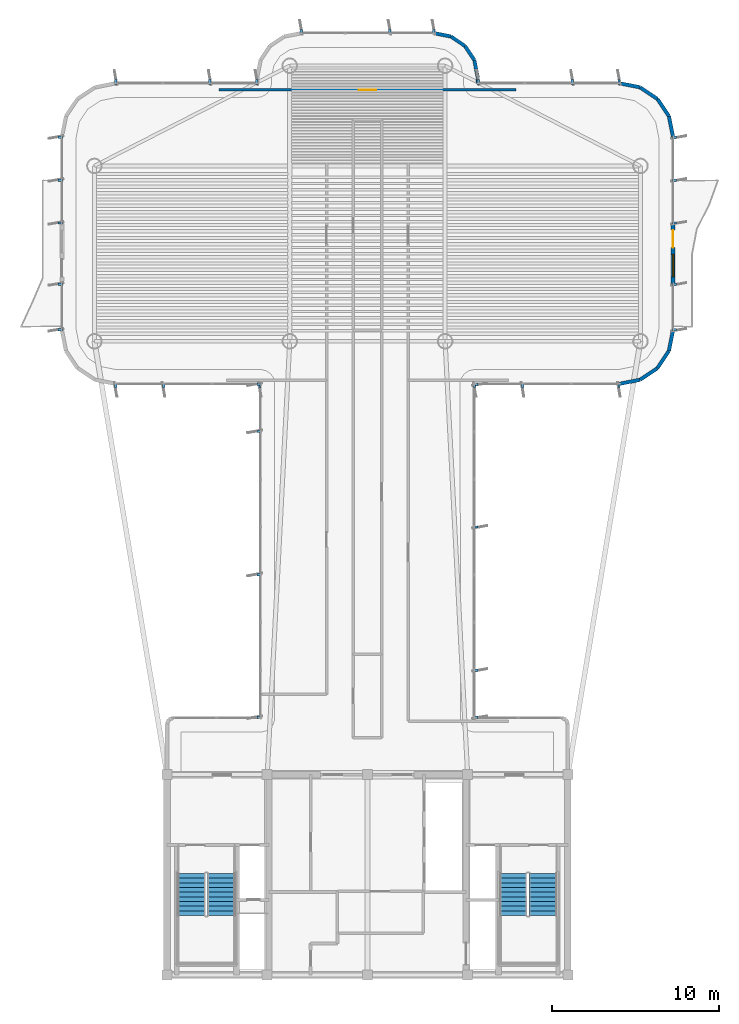
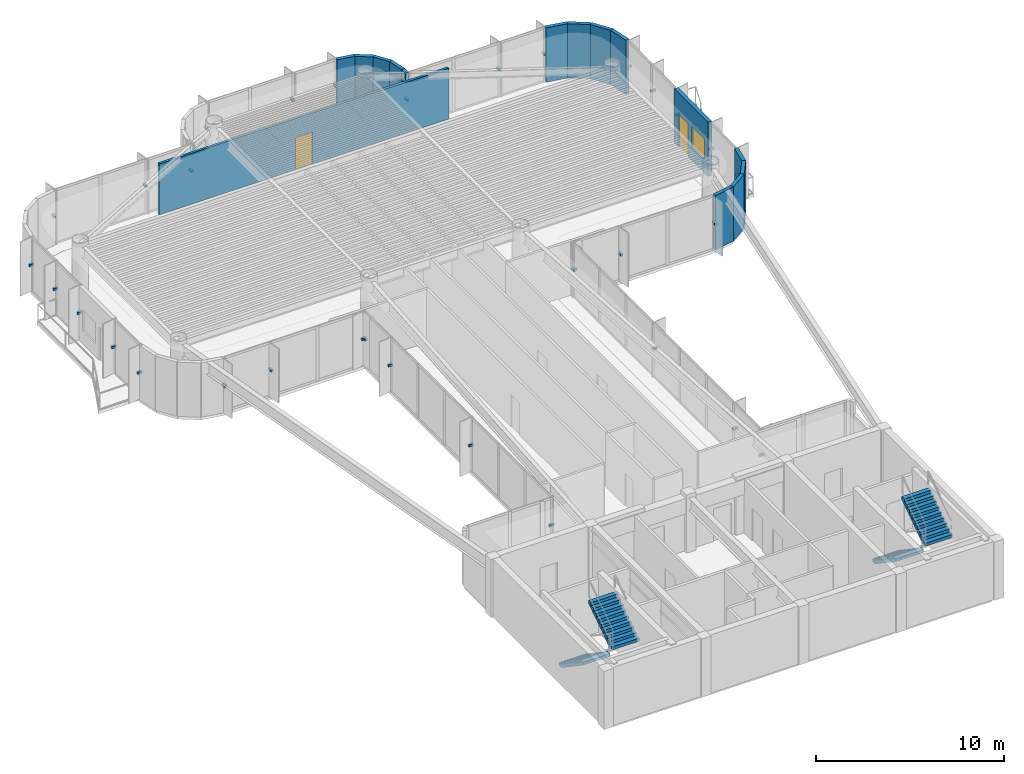
# One storey, part 12 of 14: 33 discrete accessories, 15 walls, 4 stair flights, 2 doors, 1 window, 3 openings, 2 elements without a shape of their own.
"""IFC4 building model written with IfcOpenShell, lengths in metres."""

from ifc_helpers import new_model, si_unit, direction, frame, frame_2d, origin, origin_2d, place, context, subcontext, project, spatial, polyline, rectangle, outline, extrude, source, transform, mapped, material, layer, layer_set, type_object, element, fill, aggregate, save


model = new_model("IFC4")

# Units and contexts
model_context = context("Model", 3, precision=1e-05, world=origin(), true_north=direction((0.0, 1.0)))
body_context = subcontext(model_context, "Body", "Model", "MODEL_VIEW")
ifc_project = project(units=[si_unit("LENGTHUNIT", "METRE"), si_unit("AREAUNIT", "SQUARE_METRE"), si_unit("VOLUMEUNIT", "CUBIC_METRE"), si_unit("PLANEANGLEUNIT", "RADIAN"), si_unit("MASSUNIT", "GRAM", prefix="KILO")], contexts=[model_context])

# Site, building, storey
site_placement = place(None, origin())
site = spatial("IfcSite", under=ifc_project, at=site_placement, CompositionType="ELEMENT")
building_placement = place(site_placement, origin())
building = spatial("IfcBuilding", under=site, at=building_placement, Name="Brelvock Crest Care Tower", CompositionType="ELEMENT")
storey_placement = place(building_placement, frame((0.0, 0.0, 253.260009765625)))
storey = spatial("IfcBuildingStorey", under=building, at=storey_placement, Name="L64", CompositionType="ELEMENT", Elevation=253.260009765625)

# Wall, openings, door, window
ifc_material_1 = material(Name="Precast concrete N40 (40 MPa)", Category="concrete")
ifc_layer_1 = layer(ifc_material_1, 0.239990234375, Name="WL-EX1")
ifc_layer_set_1 = layer_set([ifc_layer_1], Name="Precast concrete N40 (40 MPa)")
wall_type_1 = type_object("IfcWallType", Name="WL-EX1", PredefinedType="SOLIDWALL", material=ifc_layer_set_1)
wall_1_placement = place(storey_placement, frame((54.300048828125, 51.0, 0.0), z_axis=(0.0, 0.0, 1.0), x_axis=(0.0, -1.0, 0.0)))
wall_1 = element("IfcWall", 1, at=wall_1_placement, inside=storey, type_object=wall_type_1, Name="L64 Exterior Spandrel Wall WL-BAL-L64-E", PredefinedType="SOLIDWALL", context=body_context, shape_type="SweptSolid", body=[
    extrude(rectangle(XDim=3.60009765625, YDim=0.239990234375, at=frame_2d((1.800048828125, 0.0))), origin(), (0.0, 0.0, 1.0), 3.530029296875),
])
opening_1_placement = place(wall_1_placement, frame((0.39990234375, 0.0, 0.0)))
opening_1 = element("IfcOpeningElement", 2, at=opening_1_placement, cuts=wall_1, Name="Opening BD-1", PredefinedType="OPENING", context=body_context, shape_type="SweptSolid", body=[
    extrude(rectangle(XDim=1.050048828125, YDim=2.14990234375, at=origin_2d()), frame((0.52490234375, 0.1298828125, 1.074951171875), z_axis=(0.0, -1.0, 0.0), x_axis=(1.0, 0.0, 0.0)), (0.0, 0.0, 1.0), 0.260009765625),
])
opening_2_placement = place(wall_1_placement, frame((1.85009765625, 0.0, 0.85009765625)))
opening_2 = element("IfcOpeningElement", 3, at=opening_2_placement, cuts=wall_1, Name="Opening W-01", PredefinedType="OPENING", context=body_context, shape_type="SweptSolid", body=[
    extrude(rectangle(XDim=1.35009765625, YDim=1.35009765625, at=origin_2d()), frame((0.675048828125, 0.1298828125, 0.675048828125), z_axis=(0.0, -1.0, 0.0), x_axis=(1.0, 0.0, 0.0)), (0.0, 0.0, 1.0), 0.260009765625),
])
ifc_material_2 = material(Name="Dark Glass Double Glazed Low-E", Category="glass")
door_type_1 = type_object("IfcDoorType", Name="DR-BAL1", OperationType="NOTDEFINED", PredefinedType="DOOR", material=ifc_material_2)
shared_shape_1 = source(origin(), body_context, "Body", "SweptSolid", [
    extrude(rectangle(XDim=1.050048828125, YDim=2.14990234375, at=origin_2d()), frame((0.52490234375, 0.02490234375, 1.074951171875), z_axis=(0.0, -1.0, 0.0), x_axis=(1.0, 0.0, 0.0)), (0.0, 0.0, 1.0), 0.050048828125),
])
door_1_placement = place(opening_1_placement, origin())
door_1 = element("IfcDoor", 4, at=door_1_placement, inside=storey, type_object=door_type_1, Name="L64 E Wave Balcony Glazed Door", OperationType="SINGLE_SWING_RIGHT", OverallHeight=2.14990234375, OverallWidth=1.050048828125, PredefinedType="DOOR", context=body_context, shape_type="MappedRepresentation", body=[
    mapped(shared_shape_1, transform((0.0, 0.0, 0.0), x_axis=(1.0, 0.0, 0.0), y_axis=(0.0, 1.0, 0.0), z_axis=(0.0, 0.0, 1.0), scale=1.0)),
])
fill(opening_1, door_1)
window_type = type_object("IfcWindowType", Name="WN-EX1", PartitioningType="SINGLE_PANEL", PredefinedType="WINDOW", material=ifc_material_2)
shared_shape_2 = source(origin(), body_context, "Body", "SweptSolid", [
    extrude(rectangle(XDim=1.35009765625, YDim=1.35009765625, at=origin_2d()), frame((0.675048828125, 0.030029296875, 0.675048828125), z_axis=(0.0, -1.0, 0.0), x_axis=(1.0, 0.0, 0.0)), (0.0, 0.0, 1.0), 0.06005859375),
])
window_placement = place(opening_2_placement, origin())
window = element("IfcWindow", 5, at=window_placement, inside=storey, type_object=window_type, Name="L64 E Suite Casement Window", OverallHeight=1.35009765625, OverallWidth=1.35009765625, PartitioningType="SINGLE_PANEL", PredefinedType="WINDOW", context=body_context, shape_type="MappedRepresentation", body=[
    mapped(shared_shape_2, transform((0.0, 0.0, 0.0), x_axis=(1.0, 0.0, 0.0), y_axis=(0.0, 1.0, 0.0), z_axis=(0.0, 0.0, 1.0), scale=1.0)),
])
fill(opening_2, window)

# Walls
ifc_layer_2 = layer(ifc_material_1, 0.215087890625, Name="WL-EX2")
ifc_layer_set_2 = layer_set([ifc_layer_2], Name="Precast concrete N40 (40 MPa)")
wall_type_2 = type_object("IfcWallType", Name="WL-EX2", PredefinedType="SOLIDWALL", material=ifc_layer_set_2)
wall_2_placement = place(storey_placement, frame((40.0, 62.39990234375, 0.0), z_axis=(0.0, 0.0, 1.0), x_axis=(0.980820570666, -0.194912821943, 0.0)))
element("IfcWall", 6, at=wall_2_placement, inside=storey, type_object=wall_type_2, Name="L64 Rounded Corner Wall 29", PredefinedType="SOLIDWALL", context=body_context, shape_type="SweptSolid", body=[
    extrude(rectangle(XDim=1.0146484375, YDim=0.215087890625, at=frame_2d((0.50732421875, 0.0))), origin(), (0.0, 0.0, 1.0), 3.530029296875),
])
wall_3_placement = place(storey_placement, frame((40.9951171875, 62.2021484375, 0.0), z_axis=(0.0, 0.0, 1.0), x_axis=(0.831346067305, -0.555755086685, 0.0)))
element("IfcWall", 7, at=wall_3_placement, inside=storey, type_object=wall_type_2, Name="L64 Rounded Corner Wall 30", PredefinedType="SOLIDWALL", context=body_context, shape_type="SweptSolid", body=[
    extrude(rectangle(XDim=1.014404296875, YDim=0.215087890625, at=frame_2d((0.50732421875, 0.0))), origin(), (0.0, 0.0, 1.0), 3.530029296875),
])
wall_4_placement = place(storey_placement, frame((41.83837890625, 61.638427734375, 0.0), z_axis=(0.0, 0.0, 1.0), x_axis=(0.555643898837, -0.831420385657, 0.0)))
element("IfcWall", 8, at=wall_4_placement, inside=storey, type_object=wall_type_2, Name="L64 Rounded Corner Wall 31", PredefinedType="SOLIDWALL", context=body_context, shape_type="SweptSolid", body=[
    extrude(rectangle(XDim=1.0146484375, YDim=0.215087890625, at=frame_2d((0.50732421875, 0.0))), origin(), (0.0, 0.0, 1.0), 3.530029296875),
])
wall_5_placement = place(storey_placement, frame((42.402099609375, 60.794921875, 0.0), z_axis=(0.0, 0.0, 1.0), x_axis=(0.195190360752, -0.980765376158, 0.0)))
element("IfcWall", 9, at=wall_5_placement, inside=storey, type_object=wall_type_2, Name="L64 Rounded Corner Wall 32", PredefinedType="SOLIDWALL", context=body_context, shape_type="SweptSolid", body=[
    extrude(rectangle(XDim=1.014404296875, YDim=0.215087890625, at=frame_2d((0.50732421875, 0.0))), origin(), (0.0, 0.0, 1.0), 3.530029296875),
])
wall_6_placement = place(storey_placement, frame((42.60009765625, 59.800048828125, 0.0), z_axis=(0.0, 0.0, 1.0), x_axis=(0.0, -1.0, 0.0)))
element("IfcWall", 10, at=wall_6_placement, inside=storey, type_object=wall_type_2, Name="L64 Rounded Corner Wall 33", PredefinedType="SOLIDWALL", context=body_context, shape_type="SweptSolid", body=[
    extrude(rectangle(XDim=0.400146484375, YDim=0.215087890625, at=frame_2d((0.2001953125, 0.0))), origin(), (0.0, 0.0, 1.0), 3.530029296875),
])
for number, where, z_axis, x_axis, name in (
    (11, (51.10009765625, 59.39990234375, 0.0), (0.0, 0.0, 1.0), (0.980813122964, -0.194950295773, 0.0), "L64 Rounded Corner Wall 35"),
    (12, (52.32470703125, 59.156494140625, 0.0), (0.0, 0.0, 1.0), (0.831387912822, -0.555692485475, 0.0), "L64 Rounded Corner Wall 36"),
    (13, (53.36279296875, 58.462646484375, 0.0), (0.0, 0.0, 1.0), (0.555557312883, -0.831478245117, 0.0), "L64 Rounded Corner Wall 37"),
    (14, (54.056396484375, 57.424560546875, 0.0), (0.0, 0.0, 1.0), (0.195138390419, -0.980775717779, 0.0), "L64 Rounded Corner Wall 38"),
    (15, (54.300048828125, 44.60009765625, 0.0), (0.0, 0.0, 1.0), (-0.195138390419, -0.980775717779, 0.0), "L64 Rounded Corner Wall 40"),
    (16, (54.056396484375, 43.37548828125, 0.0), (0.0, 0.0, 1.0), (-0.555557312883, -0.831478245117, 0.0), "L64 Rounded Corner Wall 41"),
    (17, (53.36279296875, 42.33740234375, 0.0), (0.0, 0.0, 1.0), (-0.831387912822, -0.555692485475, 0.0), "L64 Rounded Corner Wall 42"),
    (18, (52.32470703125, 41.6435546875, 0.0), (0.0, 0.0, 1.0), (-0.980775717779, -0.195138390419, 0.0), "L64 Rounded Corner Wall 43"),
):
    element("IfcWall", number, at=place(storey_placement, frame(where, z_axis=z_axis, x_axis=x_axis)), inside=storey, type_object=wall_type_2, Name=name, PredefinedType="SOLIDWALL", context=body_context, shape_type="SweptSolid", body=[
        extrude(rectangle(XDim=1.24853515625, YDim=0.215087890625, at=frame_2d((0.624267578125, 0.0))), origin(), (0.0, 0.0, 1.0), 3.530029296875),
    ])

# Wall, opening, door
ifc_material_3 = material(Name="Masonry Blockwork Acoustic Partition", Category="masonry")
ifc_layer_3 = layer(ifc_material_3, 0.14990234375, Name="WL-INT1")
ifc_layer_set_3 = layer_set([ifc_layer_3], Name="Masonry Blockwork Acoustic Partition")
wall_type_3 = type_object("IfcWallType", Name="WL-INT1", PredefinedType="PARTITIONING", material=ifc_layer_set_3)
wall_7_placement = place(storey_placement, frame((27.10009765625, 59.0, 0.0), z_axis=(0.0, 0.0, 1.0), x_axis=(1.0, 0.0, 0.0)))
wall_7 = element("IfcWall", 19, at=wall_7_placement, inside=storey, type_object=wall_type_3, Name="L64 Interior Wall WL-RM-L64-NHUB", PredefinedType="PARTITIONING", context=body_context, shape_type="SweptSolid", body=[
    extrude(rectangle(XDim=17.7998046875, YDim=0.14990234375, at=frame_2d((8.89990234375, 0.0))), origin(), (0.0, 0.0, 1.0), 3.30810546875),
])
opening_3_placement = place(wall_7_placement, frame((8.375, 0.0, 0.0)))
opening_3 = element("IfcOpeningElement", 20, at=opening_3_placement, cuts=wall_7, Name="Opening CLD-1", PredefinedType="OPENING", context=body_context, shape_type="SweptSolid", body=[
    extrude(rectangle(XDim=1.050048828125, YDim=2.10009765625, at=origin_2d()), frame((0.52490234375, 0.0849609375, 1.050048828125), z_axis=(0.0, -1.0, 0.0), x_axis=(1.0, 0.0, 0.0)), (0.0, 0.0, 1.0), 0.169921875),
])
ifc_material_4 = material(Name="Engineered Hardwood Timber", Category="wood")
door_type_2 = type_object("IfcDoorType", Name="DR-CLN1", OperationType="NOTDEFINED", PredefinedType="DOOR", material=ifc_material_4)
shared_shape_3 = source(origin(), body_context, "Body", "SweptSolid", [
    extrude(rectangle(XDim=1.050048828125, YDim=2.10009765625, at=origin_2d()), frame((0.52490234375, 0.02490234375, 1.050048828125), z_axis=(0.0, -1.0, 0.0), x_axis=(1.0, 0.0, 0.0)), (0.0, 0.0, 1.0), 0.050048828125),
])
door_2_placement = place(opening_3_placement, origin())
door_2 = element("IfcDoor", 21, at=door_2_placement, inside=storey, type_object=door_type_2, Name="L64 Harbour Lookout Dining Salon Door NHUB", OperationType="SINGLE_SWING_LEFT", OverallHeight=2.10009765625, OverallWidth=1.050048828125, PredefinedType="DOOR", context=body_context, shape_type="MappedRepresentation", body=[
    mapped(shared_shape_3, transform((0.0, 0.0, 0.0), x_axis=(1.0, 0.0, 0.0), y_axis=(0.0, 1.0, 0.0), z_axis=(0.0, 0.0, 1.0), scale=1.0)),
])
fill(opening_3, door_2)

# Stair, stair flights
ifc_material_5 = material(Name="Concrete N40 (40 MPa)", Category="concrete")
stair_type = type_object("IfcStairType", Name="ST-CORE1", PredefinedType="HALF_TURN_STAIR", material=ifc_material_5)
stair_1_placement = place(storey_placement, origin())
stair_1 = element("IfcStair", 22, at=stair_1_placement, inside=storey, type_object=stair_type, Name="L64 Fire-Isolated Core Stair ST-1", PredefinedType="HALF_TURN_STAIR")
stair_flight_type = type_object("IfcStairFlightType", Name="STF-1", PredefinedType="STRAIGHT", material=ifc_material_5)
stair_flight_1_placement = place(storey_placement, frame((25.469970703125, 12.080078125, 0.0), z_axis=(0.0, 0.0, 1.0), x_axis=(0.0, -1.0, 0.0)))
stair_flight_1 = element("IfcStairFlight", 23, at=stair_flight_1_placement, type_object=stair_flight_type, Name="ST-1 flight 1", NumberOfRisers=10, NumberOfTreads=9, PredefinedType="STRAIGHT", RiserHeight=0.189, TreadLength=0.28, context=body_context, shape_type="SweptSolid", body=[
    extrude(outline(polyline([(-0.00390625, -0.014892578125), (-0.00390625, -0.0078125), (-0.00390625, -0.00048828125), (-0.00390625, 0.0068359375), (-0.00390625, 0.01416015625), (-0.00390625, 0.021484375), (-0.00390625, 0.02880859375), (-0.00390625, 0.035888671875), (-0.00390625, 0.043212890625), (-0.00390625, 0.050537109375), (-0.00390625, 0.057861328125), (-0.00390625, 0.065185546875), (-0.00390625, 0.072509765625), (-0.00390625, 0.07958984375), (-0.00390625, 0.0869140625), (-0.00390625, 0.09423828125), (-0.00390625, 0.1015625), (-0.00390625, 0.10888671875), (-0.00390625, 0.1162109375), (-0.00390625, 0.12353515625), (-0.00390625, 0.130615234375), (-0.00390625, 0.137939453125), (-0.00390625, 0.145263671875), (-0.00390625, 0.152587890625), (-0.00390625, 0.159912109375), (-0.00390625, 0.167236328125), (-0.00390625, 0.17431640625), (-0.00390625, 0.181640625), (-0.00390625, 0.18896484375), (0.0, 0.18896484375), (0.280029296875, 0.18896484375), (0.280029296875, 0.3779296875), (0.56005859375, 0.3779296875), (0.56005859375, 0.56689453125), (0.840087890625, 0.56689453125), (0.840087890625, 0.756103515625), (1.1201171875, 0.756103515625), (1.1201171875, 0.945068359375), (1.39990234375, 0.945068359375), (1.39990234375, 1.134033203125), (1.679931640625, 1.134033203125), (1.679931640625, 1.322998046875), (1.9599609375, 1.322998046875), (1.9599609375, 1.511962890625), (2.239990234375, 1.511962890625), (2.239990234375, 1.700927734375), (2.52001953125, 1.700927734375), (2.52392578125, 1.700927734375), (2.523681640625, 1.70068359375), (2.52392578125, 1.700439453125), (2.523681640625, 1.699951171875), (2.52392578125, 1.69970703125), (2.523681640625, 1.699462890625), (2.52392578125, 1.698974609375), (2.523681640625, 1.69873046875), (2.52392578125, 1.698486328125), (2.523681640625, 1.697998046875), (2.52392578125, 1.69775390625), (2.523681640625, 1.697509765625), (2.52392578125, 1.697021484375), (2.523681640625, 1.69677734375), (2.52392578125, 1.696533203125), (2.523681640625, 1.6962890625), (2.52392578125, 1.69580078125), (2.523681640625, 1.695556640625), (2.52392578125, 1.6953125), (2.523681640625, 1.69482421875), (2.52392578125, 1.694580078125), (2.523681640625, 1.6943359375), (2.52392578125, 1.69384765625), (2.523681640625, 1.693603515625), (2.52392578125, 1.693359375), (2.523681640625, 1.69287109375), (2.52392578125, 1.692626953125), (2.523681640625, 1.6923828125), (2.52392578125, 1.69189453125), (2.52001953125, 1.520263671875), (0.267822265625, 0.0), (0.0, 0.0), (0.0, -0.014892578125), (-0.00390625, -0.014892578125)])), frame((0.0, 0.83984375, 0.0), z_axis=(0.0, -1.0, 0.0), x_axis=(1.0, 0.0, 0.0)), (0.0, 0.0, 1.0), 1.679931640625),
])
stair_flight_2_placement = place(storey_placement, frame((27.27001953125, 9.56005859375, 1.889892578125), z_axis=(0.0, 0.0, 1.0), x_axis=(0.0, 1.0, 0.0)))
stair_flight_2 = element("IfcStairFlight", 24, at=stair_flight_2_placement, type_object=stair_flight_type, Name="ST-1 flight 2", NumberOfRisers=10, NumberOfTreads=9, PredefinedType="STRAIGHT", RiserHeight=0.189, TreadLength=0.28, context=body_context, shape_type="SweptSolid", body=[
    extrude(outline(polyline([(-0.00390625, -0.014892578125), (-0.00390625, -0.0078125), (-0.00390625, -0.00048828125), (-0.00390625, 0.0068359375), (-0.00390625, 0.01416015625), (-0.00390625, 0.021484375), (-0.00390625, 0.02880859375), (-0.00390625, 0.035888671875), (-0.00390625, 0.043212890625), (-0.00390625, 0.050537109375), (-0.00390625, 0.057861328125), (-0.00390625, 0.065185546875), (-0.00390625, 0.072509765625), (-0.00390625, 0.07958984375), (-0.00390625, 0.0869140625), (-0.00390625, 0.09423828125), (-0.00390625, 0.1015625), (-0.00390625, 0.10888671875), (-0.00390625, 0.1162109375), (-0.00390625, 0.12353515625), (-0.00390625, 0.130615234375), (-0.00390625, 0.137939453125), (-0.00390625, 0.145263671875), (-0.00390625, 0.152587890625), (-0.00390625, 0.159912109375), (-0.00390625, 0.167236328125), (-0.00390625, 0.17431640625), (-0.00390625, 0.181640625), (-0.00390625, 0.18896484375), (0.0, 0.18896484375), (0.280029296875, 0.18896484375), (0.280029296875, 0.3779296875), (0.56005859375, 0.3779296875), (0.56005859375, 0.56689453125), (0.840087890625, 0.56689453125), (0.840087890625, 0.756103515625), (1.1201171875, 0.756103515625), (1.1201171875, 0.945068359375), (1.39990234375, 0.945068359375), (1.39990234375, 1.134033203125), (1.679931640625, 1.134033203125), (1.679931640625, 1.322998046875), (1.9599609375, 1.322998046875), (1.9599609375, 1.511962890625), (2.239990234375, 1.511962890625), (2.239990234375, 1.700927734375), (2.52001953125, 1.700927734375), (2.52392578125, 1.700927734375), (2.523681640625, 1.70068359375), (2.52392578125, 1.700439453125), (2.523681640625, 1.699951171875), (2.52392578125, 1.69970703125), (2.523681640625, 1.699462890625), (2.52392578125, 1.698974609375), (2.523681640625, 1.69873046875), (2.52392578125, 1.698486328125), (2.523681640625, 1.697998046875), (2.52392578125, 1.69775390625), (2.523681640625, 1.697509765625), (2.52392578125, 1.697021484375), (2.523681640625, 1.69677734375), (2.52392578125, 1.696533203125), (2.523681640625, 1.6962890625), (2.52392578125, 1.69580078125), (2.523681640625, 1.695556640625), (2.52392578125, 1.6953125), (2.523681640625, 1.69482421875), (2.52392578125, 1.694580078125), (2.523681640625, 1.6943359375), (2.52392578125, 1.69384765625), (2.523681640625, 1.693603515625), (2.52392578125, 1.693359375), (2.523681640625, 1.69287109375), (2.52392578125, 1.692626953125), (2.523681640625, 1.6923828125), (2.52392578125, 1.69189453125), (2.52001953125, 1.520263671875), (0.267822265625, 0.0), (0.0, 0.0), (0.0, -0.014892578125), (-0.00390625, -0.014892578125)])), frame((0.0, 0.83984375, 0.0), z_axis=(0.0, -1.0, 0.0), x_axis=(1.0, 0.0, 0.0)), (0.0, 0.0, 1.0), 1.679931640625),
])
aggregate(stair_1, [stair_flight_1, stair_flight_2])

stair_2_placement = place(storey_placement, origin())
stair_2 = element("IfcStair", 25, at=stair_2_placement, inside=storey, type_object=stair_type, Name="L64 Fire-Isolated Core Stair ST-2", PredefinedType="HALF_TURN_STAIR")
stair_flight_3_placement = place(storey_placement, frame((44.72998046875, 12.080078125, 0.0), z_axis=(0.0, 0.0, 1.0), x_axis=(0.0, -1.0, 0.0)))
stair_flight_3 = element("IfcStairFlight", 26, at=stair_flight_3_placement, type_object=stair_flight_type, Name="ST-2 flight 1", NumberOfRisers=10, NumberOfTreads=9, PredefinedType="STRAIGHT", RiserHeight=0.189, TreadLength=0.28, context=body_context, shape_type="SweptSolid", body=[
    extrude(outline(polyline([(-0.00390625, -0.014892578125), (-0.00390625, -0.0078125), (-0.00390625, -0.00048828125), (-0.00390625, 0.0068359375), (-0.00390625, 0.01416015625), (-0.00390625, 0.021484375), (-0.00390625, 0.02880859375), (-0.00390625, 0.035888671875), (-0.00390625, 0.043212890625), (-0.00390625, 0.050537109375), (-0.00390625, 0.057861328125), (-0.00390625, 0.065185546875), (-0.00390625, 0.072509765625), (-0.00390625, 0.07958984375), (-0.00390625, 0.0869140625), (-0.00390625, 0.09423828125), (-0.00390625, 0.1015625), (-0.00390625, 0.10888671875), (-0.00390625, 0.1162109375), (-0.00390625, 0.12353515625), (-0.00390625, 0.130615234375), (-0.00390625, 0.137939453125), (-0.00390625, 0.145263671875), (-0.00390625, 0.152587890625), (-0.00390625, 0.159912109375), (-0.00390625, 0.167236328125), (-0.00390625, 0.17431640625), (-0.00390625, 0.181640625), (-0.00390625, 0.18896484375), (0.0, 0.18896484375), (0.280029296875, 0.18896484375), (0.280029296875, 0.3779296875), (0.56005859375, 0.3779296875), (0.56005859375, 0.56689453125), (0.840087890625, 0.56689453125), (0.840087890625, 0.756103515625), (1.1201171875, 0.756103515625), (1.1201171875, 0.945068359375), (1.39990234375, 0.945068359375), (1.39990234375, 1.134033203125), (1.679931640625, 1.134033203125), (1.679931640625, 1.322998046875), (1.9599609375, 1.322998046875), (1.9599609375, 1.511962890625), (2.239990234375, 1.511962890625), (2.239990234375, 1.700927734375), (2.52001953125, 1.700927734375), (2.52392578125, 1.700927734375), (2.523681640625, 1.70068359375), (2.52392578125, 1.700439453125), (2.523681640625, 1.699951171875), (2.52392578125, 1.69970703125), (2.523681640625, 1.699462890625), (2.52392578125, 1.698974609375), (2.523681640625, 1.69873046875), (2.52392578125, 1.698486328125), (2.523681640625, 1.697998046875), (2.52392578125, 1.69775390625), (2.523681640625, 1.697509765625), (2.52392578125, 1.697021484375), (2.523681640625, 1.69677734375), (2.52392578125, 1.696533203125), (2.523681640625, 1.6962890625), (2.52392578125, 1.69580078125), (2.523681640625, 1.695556640625), (2.52392578125, 1.6953125), (2.523681640625, 1.69482421875), (2.52392578125, 1.694580078125), (2.523681640625, 1.6943359375), (2.52392578125, 1.69384765625), (2.523681640625, 1.693603515625), (2.52392578125, 1.693359375), (2.523681640625, 1.69287109375), (2.52392578125, 1.692626953125), (2.523681640625, 1.6923828125), (2.52392578125, 1.69189453125), (2.52001953125, 1.520263671875), (0.267822265625, 0.0), (0.0, 0.0), (0.0, -0.014892578125), (-0.00390625, -0.014892578125)])), frame((0.0, 0.83984375, 0.0), z_axis=(0.0, -1.0, 0.0), x_axis=(1.0, 0.0, 0.0)), (0.0, 0.0, 1.0), 1.679931640625),
])
stair_flight_4_placement = place(storey_placement, frame((46.530029296875, 9.56005859375, 1.889892578125), z_axis=(0.0, 0.0, 1.0), x_axis=(0.0, 1.0, 0.0)))
stair_flight_4 = element("IfcStairFlight", 27, at=stair_flight_4_placement, type_object=stair_flight_type, Name="ST-2 flight 2", NumberOfRisers=10, NumberOfTreads=9, PredefinedType="STRAIGHT", RiserHeight=0.189, TreadLength=0.28, context=body_context, shape_type="SweptSolid", body=[
    extrude(outline(polyline([(-0.00390625, -0.014892578125), (-0.00390625, -0.0078125), (-0.00390625, -0.00048828125), (-0.00390625, 0.0068359375), (-0.00390625, 0.01416015625), (-0.00390625, 0.021484375), (-0.00390625, 0.02880859375), (-0.00390625, 0.035888671875), (-0.00390625, 0.043212890625), (-0.00390625, 0.050537109375), (-0.00390625, 0.057861328125), (-0.00390625, 0.065185546875), (-0.00390625, 0.072509765625), (-0.00390625, 0.07958984375), (-0.00390625, 0.0869140625), (-0.00390625, 0.09423828125), (-0.00390625, 0.1015625), (-0.00390625, 0.10888671875), (-0.00390625, 0.1162109375), (-0.00390625, 0.12353515625), (-0.00390625, 0.130615234375), (-0.00390625, 0.137939453125), (-0.00390625, 0.145263671875), (-0.00390625, 0.152587890625), (-0.00390625, 0.159912109375), (-0.00390625, 0.167236328125), (-0.00390625, 0.17431640625), (-0.00390625, 0.181640625), (-0.00390625, 0.18896484375), (0.0, 0.18896484375), (0.280029296875, 0.18896484375), (0.280029296875, 0.3779296875), (0.56005859375, 0.3779296875), (0.56005859375, 0.56689453125), (0.840087890625, 0.56689453125), (0.840087890625, 0.756103515625), (1.1201171875, 0.756103515625), (1.1201171875, 0.945068359375), (1.39990234375, 0.945068359375), (1.39990234375, 1.134033203125), (1.679931640625, 1.134033203125), (1.679931640625, 1.322998046875), (1.9599609375, 1.322998046875), (1.9599609375, 1.511962890625), (2.239990234375, 1.511962890625), (2.239990234375, 1.700927734375), (2.52001953125, 1.700927734375), (2.52392578125, 1.700927734375), (2.523681640625, 1.70068359375), (2.52392578125, 1.700439453125), (2.523681640625, 1.699951171875), (2.52392578125, 1.69970703125), (2.523681640625, 1.699462890625), (2.52392578125, 1.698974609375), (2.523681640625, 1.69873046875), (2.52392578125, 1.698486328125), (2.523681640625, 1.697998046875), (2.52392578125, 1.69775390625), (2.523681640625, 1.697509765625), (2.52392578125, 1.697021484375), (2.523681640625, 1.69677734375), (2.52392578125, 1.696533203125), (2.523681640625, 1.6962890625), (2.52392578125, 1.69580078125), (2.523681640625, 1.695556640625), (2.52392578125, 1.6953125), (2.523681640625, 1.69482421875), (2.52392578125, 1.694580078125), (2.523681640625, 1.6943359375), (2.52392578125, 1.69384765625), (2.523681640625, 1.693603515625), (2.52392578125, 1.693359375), (2.523681640625, 1.69287109375), (2.52392578125, 1.692626953125), (2.523681640625, 1.6923828125), (2.52392578125, 1.69189453125), (2.52001953125, 1.520263671875), (0.267822265625, 0.0), (0.0, 0.0), (0.0, -0.014892578125), (-0.00390625, -0.014892578125)])), frame((0.0, 0.83984375, 0.0), z_axis=(0.0, -1.0, 0.0), x_axis=(1.0, 0.0, 0.0)), (0.0, 0.0, 1.0), 1.679931640625),
])
aggregate(stair_2, [stair_flight_3, stair_flight_4])

# Discrete accessories
ifc_material_6 = material(Name="Steel Grade 350", Category="steel")
discrete_accessory_type = type_object("IfcDiscreteAccessoryType", Name="ACC-BRK1", PredefinedType="BRACKET", material=ifc_material_6)
shared_shape_4 = source(origin(), body_context, "Body", "SweptSolid", [
    extrude(rectangle(XDim=0.280029296875, YDim=0.139892578125, at=origin_2d()), origin(), (0.0, 0.0, 1.0), 0.139892578125),
])
for number, where, z_axis, x_axis, name in (
    (28, (29.52001953125, 21.429931640625, 1.69482421875), (0.0, 0.0, 1.0), (-1.0, 0.0, 0.0), "L64 Facade Fin Bracket E11-01"),
    (29, (29.52001953125, 29.971435546875, 1.69482421875), (0.0, 0.0, 1.0), (-1.0, 0.0, 0.0), "L64 Facade Fin Bracket E11-04"),
    (30, (29.52001953125, 38.54296875, 1.69482421875), (0.0, 0.0, 1.0), (-1.0, 0.0, 0.0), "L64 Facade Fin Bracket E11-07"),
    (31, (29.52001953125, 41.3701171875, 1.69482421875), (0.0, 0.0, 1.0), (-1.0, 0.0, 0.0), "L64 Facade Fin Bracket E11-08"),
    (32, (29.570068359375, 41.320068359375, 1.69482421875), (0.0, 0.0, 1.0), (0.0, -1.0, 0.0), "L64 Facade Fin Bracket E12-01"),
    (33, (23.800048828125, 41.320068359375, 1.69482421875), (0.0, 0.0, 1.0), (0.0, -1.0, 0.0), "L64 Facade Fin Bracket E12-03"),
    (34, (20.929931640625, 41.320068359375, 1.69482421875), (0.0, 0.0, 1.0), (0.0, -1.0, 0.0), "L64 Facade Fin Bracket E12-04"),
    (35, (17.6201171875, 44.6298828125, 1.69482421875), (0.0, 0.0, 1.0), (-1.0, 0.0, 0.0), "L64 Facade Fin Bracket E17A-01"),
    (36, (17.6201171875, 47.3701171875, 1.69482421875), (0.0, 0.0, 1.0), (-1.0, 0.0, 0.0), "L64 Facade Fin Bracket E17A-02"),
    (37, (17.6201171875, 51.030029296875, 1.69482421875), (0.0, 0.0, 1.0), (-1.0, 0.0, 0.0), "L64 Facade Fin Bracket E17B-01"),
    (38, (17.6201171875, 53.60009765625, 1.69482421875), (0.0, 0.0, 1.0), (-1.0, 0.0, 0.0), "L64 Facade Fin Bracket E17B-02"),
    (39, (17.6201171875, 56.169921875, 1.69482421875), (0.0, 0.0, 1.0), (-1.0, 0.0, 0.0), "L64 Facade Fin Bracket E17B-03"),
    (40, (20.929931640625, 59.47998046875, 1.69482421875), (0.0, 0.0, 1.0), (0.0, 1.0, 0.0), "L64 Facade Fin Bracket E22-01"),
    (41, (26.566650390625, 59.47998046875, 1.69482421875), (0.0, 0.0, 1.0), (0.0, 1.0, 0.0), "L64 Facade Fin Bracket E22-03"),
    (42, (29.3701171875, 59.47998046875, 1.69482421875), (0.0, 0.0, 1.0), (0.0, 1.0, 0.0), "L64 Facade Fin Bracket E22-04"),
    (43, (32.030029296875, 62.47998046875, 1.69482421875), (0.0, 0.0, 1.0), (0.0, 1.0, 0.0), "L64 Facade Fin Bracket E28-01"),
    (44, (37.333251953125, 62.47998046875, 1.69482421875), (0.0, 0.0, 1.0), (0.0, 1.0, 0.0), "L64 Facade Fin Bracket E28-03"),
    (45, (39.969970703125, 62.47998046875, 1.69482421875), (0.0, 0.0, 1.0), (0.0, 1.0, 0.0), "L64 Facade Fin Bracket E28-04"),
    (46, (42.6298828125, 59.47998046875, 1.69482421875), (0.0, 0.0, 1.0), (0.0, 1.0, 0.0), "L64 Facade Fin Bracket E34-01"),
    (47, (48.2666015625, 59.47998046875, 1.69482421875), (0.0, 0.0, 1.0), (0.0, 1.0, 0.0), "L64 Facade Fin Bracket E34-03"),
    (48, (51.070068359375, 59.47998046875, 1.69482421875), (0.0, 0.0, 1.0), (0.0, 1.0, 0.0), "L64 Facade Fin Bracket E34-04"),
    (49, (54.3798828125, 56.169921875, 1.69482421875), (0.0, 0.0, 1.0), (1.0, 0.0, 0.0), "L64 Facade Fin Bracket E39A-01"),
    (50, (54.3798828125, 53.60009765625, 1.69482421875), (0.0, 0.0, 1.0), (1.0, 0.0, 0.0), "L64 Facade Fin Bracket E39A-02"),
    (51, (54.3798828125, 51.030029296875, 1.69482421875), (0.0, 0.0, 1.0), (1.0, 0.0, 0.0), "L64 Facade Fin Bracket E39A-03"),
    (52, (54.3798828125, 47.3701171875, 1.69482421875), (0.0, 0.0, 1.0), (1.0, 0.0, 0.0), "L64 Facade Fin Bracket E39B-01"),
    (53, (54.3798828125, 44.6298828125, 1.69482421875), (0.0, 0.0, 1.0), (1.0, 0.0, 0.0), "L64 Facade Fin Bracket E39B-02"),
    (54, (51.070068359375, 41.320068359375, 1.69482421875), (0.0, 0.0, 1.0), (0.0, -1.0, 0.0), "L64 Facade Fin Bracket E44-01"),
    (55, (45.300048828125, 41.320068359375, 1.69482421875), (0.0, 0.0, 1.0), (0.0, -1.0, 0.0), "L64 Facade Fin Bracket E44-03"),
    (56, (42.429931640625, 41.320068359375, 1.69482421875), (0.0, 0.0, 1.0), (0.0, -1.0, 0.0), "L64 Facade Fin Bracket E44-04"),
    (57, (42.47998046875, 41.3701171875, 1.69482421875), (0.0, 0.0, 1.0), (1.0, 0.0, 0.0), "L64 Facade Fin Bracket E45-01"),
    (58, (42.47998046875, 32.82861328125, 1.69482421875), (0.0, 0.0, 1.0), (1.0, 0.0, 0.0), "L64 Facade Fin Bracket E45-04"),
    (59, (42.47998046875, 24.257080078125, 1.69482421875), (0.0, 0.0, 1.0), (1.0, 0.0, 0.0), "L64 Facade Fin Bracket E45-07"),
    (60, (42.47998046875, 21.429931640625, 1.69482421875), (0.0, 0.0, 1.0), (1.0, 0.0, 0.0), "L64 Facade Fin Bracket E45-08"),
):
    element("IfcDiscreteAccessory", number, at=place(storey_placement, frame(where, z_axis=z_axis, x_axis=x_axis)), inside=storey, type_object=discrete_accessory_type, Name=name, PredefinedType="BRACKET", context=body_context, shape_type="MappedRepresentation", body=[
        mapped(shared_shape_4, transform((0.0, 0.0, 0.0), x_axis=(1.0, 0.0, 0.0), y_axis=(0.0, 1.0, 0.0), z_axis=(0.0, 0.0, 1.0), scale=1.0)),
    ])

save(model, "model.ifc")
